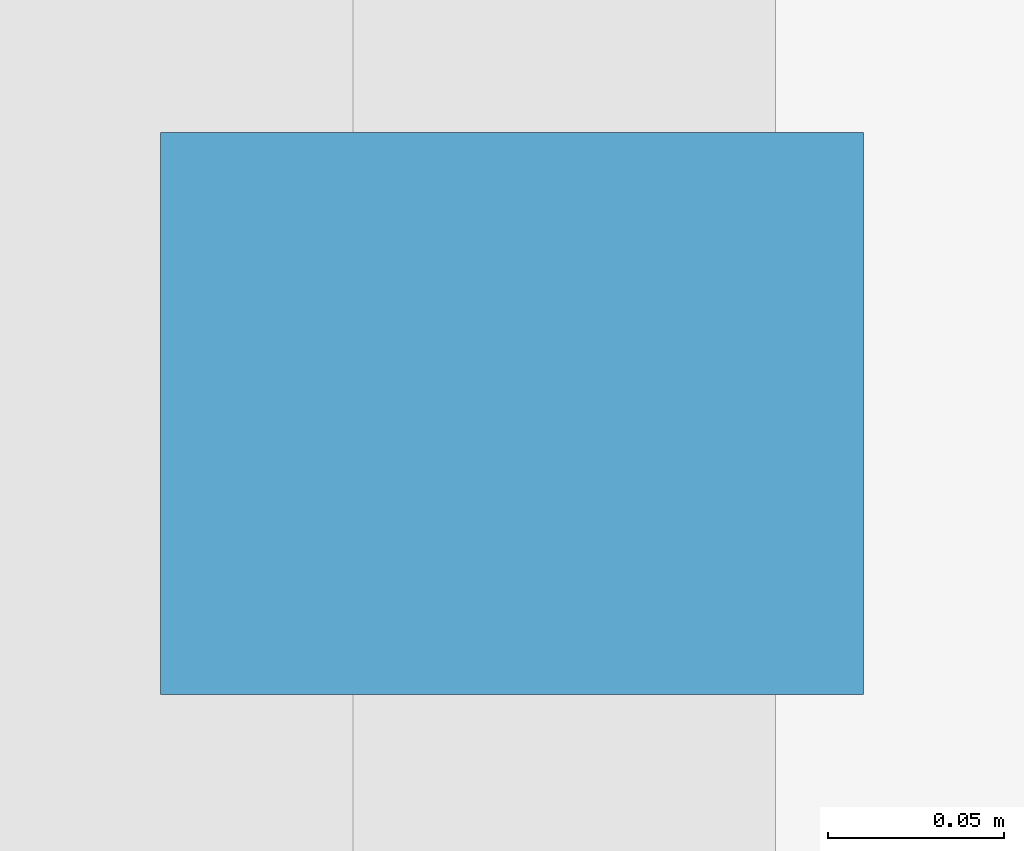
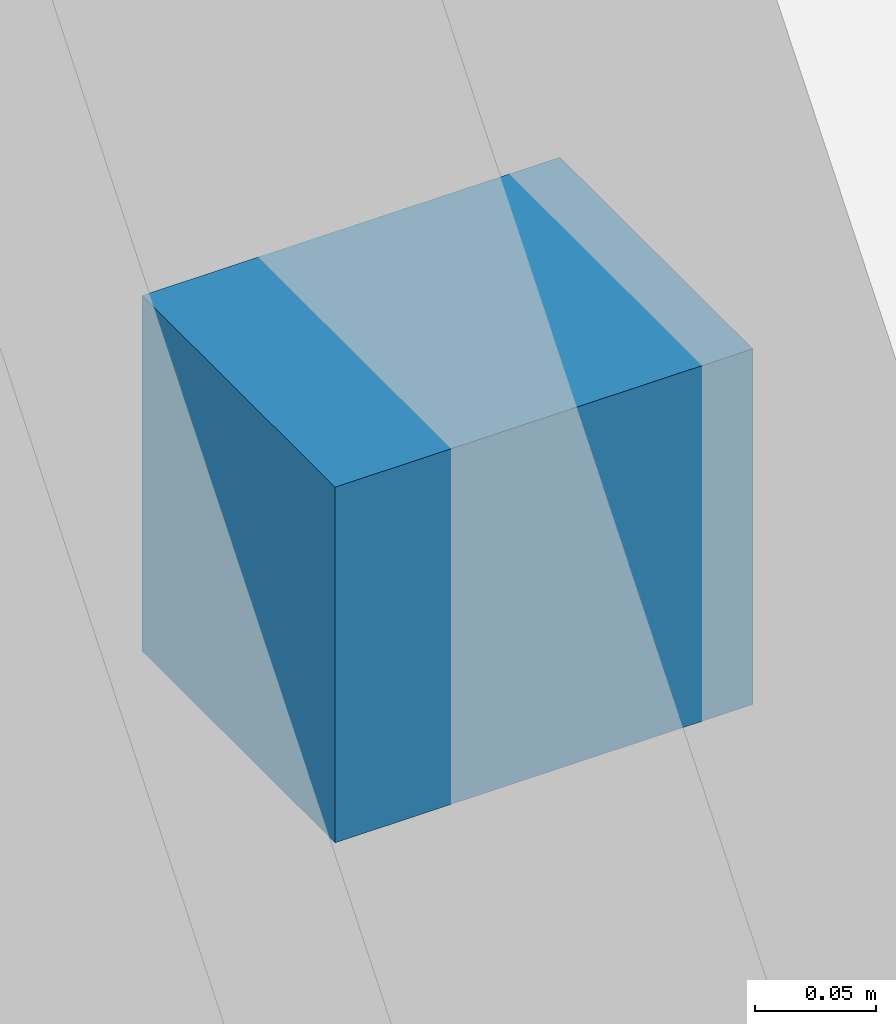
# One storey, part 12 of 15: 1 discrete accessory.
"""IFC4 building model written with IfcOpenShell, lengths in metres."""

from ifc_helpers import new_model, si_unit, direction, frame, origin, origin_2d, place, context, subcontext, project, spatial, rectangle, extrude, material, type_object, element, save


model = new_model("IFC4")

# Units and contexts
model_context = context("Model", 3, precision=1e-05, world=origin(), true_north=direction((0.0, 1.0)))
body_context = subcontext(model_context, "Body", "Model", "MODEL_VIEW")
ifc_project = project(units=[si_unit("LENGTHUNIT", "METRE"), si_unit("AREAUNIT", "SQUARE_METRE"), si_unit("VOLUMEUNIT", "CUBIC_METRE"), si_unit("PLANEANGLEUNIT", "RADIAN"), si_unit("MASSUNIT", "GRAM", prefix="KILO")], contexts=[model_context])

# Site, building, storey
site_placement = place(None, origin())
site = spatial("IfcSite", under=ifc_project, at=site_placement, CompositionType="ELEMENT")
building_placement = place(site_placement, origin())
building = spatial("IfcBuilding", under=site, at=building_placement, Name="Koriwani Terraces Tower", CompositionType="ELEMENT")
storey_placement = place(building_placement, frame((0.0, 0.0, 300.800048828125)))
storey = spatial("IfcBuildingStorey", under=building, at=storey_placement, Name="L74", CompositionType="ELEMENT", Elevation=300.800048828125)

# Discrete accessory
ifc_material = material(Name="Steel ASTM A572 Grade 50", Category="steel")
discrete_accessory_type = type_object("IfcDiscreteAccessoryType", Name="BAGUETTE_STANDOFF_BRACKET", PredefinedType="BRACKET", material=ifc_material)
discrete_accessory_placement = place(storey_placement, frame((8.7900390625, 54.60009765625, 1.7451171875), z_axis=(0.0, 0.0, 1.0), x_axis=(0.0, 1.0, 0.0)))
element("IfcDiscreteAccessory", 1, at=discrete_accessory_placement, inside=storey, type_object=discrete_accessory_type, Name="L74 Terracotta Baguette Bracket (W-15)", PredefinedType="BRACKET", context=body_context, shape_type="SweptSolid", body=[
    extrude(rectangle(XDim=0.159912109375, YDim=0.199951171875, at=origin_2d()), origin(), (0.0, 0.0, 1.0), 0.179931640625),
])

save(model, "model.ifc")
